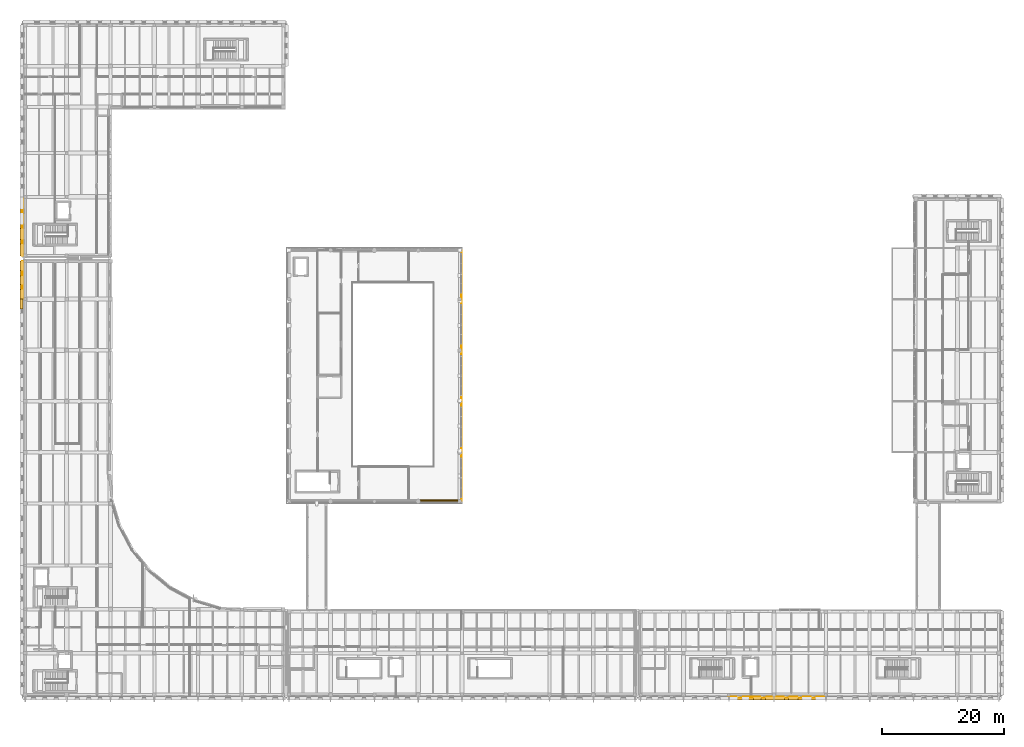
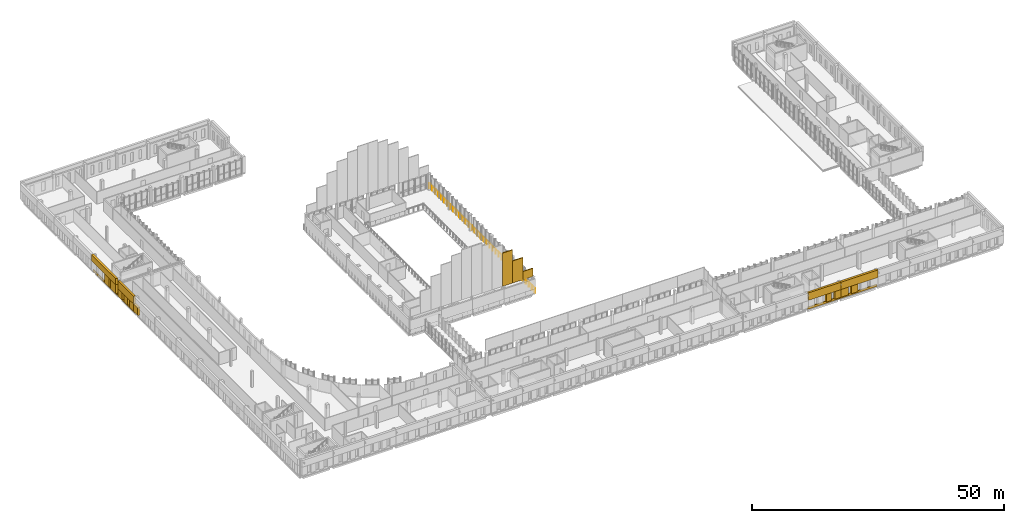
# One storey, part 70 of 76: 21 coverings, 1 railing.
"""IFC4 building model written with IfcOpenShell, lengths in metres."""

from ifc_helpers import new_model, si_unit, direction, frame, origin, origin_2d, place, context, subcontext, project, spatial, polyline, circle, outline, extrude, material, layer, layer_set, type_object, element, save


model = new_model("IFC4")

# Units and contexts
model_context = context("Model", 3, precision=1e-05, world=origin(), true_north=direction((0.0, 1.0)))
body_context = subcontext(model_context, "Body", "Model", "MODEL_VIEW")
ifc_project = project(units=[si_unit("LENGTHUNIT", "METRE"), si_unit("AREAUNIT", "SQUARE_METRE"), si_unit("VOLUMEUNIT", "CUBIC_METRE"), si_unit("PLANEANGLEUNIT", "RADIAN"), si_unit("MASSUNIT", "GRAM", prefix="KILO")], contexts=[model_context])

# Site, building, storey
site_placement = place(None, origin())
site = spatial("IfcSite", under=ifc_project, at=site_placement, CompositionType="ELEMENT")
building_placement = place(site_placement, origin())
building = spatial("IfcBuilding", under=site, at=building_placement, Name="Vardoun Plaza Health Centre", CompositionType="ELEMENT")
storey_placement = place(building_placement, frame((0.0, 0.0, 4.5)))
storey = spatial("IfcBuildingStorey", under=building, at=storey_placement, Name="L01", CompositionType="ELEMENT", Elevation=4.5)

# Coverings
ifc_material = material(Name="Pale Limestone Concrete C35/45", Category="masonry")
ifc_layer = layer(ifc_material, 0.080078125)
ifc_layer_set = layer_set([ifc_layer], Name="Pale Limestone Concrete C35/45")
covering_type = type_object("IfcCoveringType", Name="CL-EXT1", PredefinedType="CLADDING", material=ifc_layer_set)
covering_1_placement = place(storey_placement, frame((0.0, 0.0, 0.550048828125)))
element("IfcCovering", 1, at=covering_1_placement, inside=storey, type_object=covering_type, Name="V2 L01 Deep-Punched Slot Concrete Reveal Pier 163", PredefinedType="CLADDING", context=body_context, shape_type="SweptSolid", body=[
    extrude(outline(polyline([(4.5, 68.263916015625), (4.5, 69.8798828125), (4.02001953125, 69.8798828125), (4.02001953125, 68.263916015625), (4.5, 68.263916015625)])), origin(), (0.0, 0.0, 1.0), 1.849853515625),
])
covering_2_placement = place(storey_placement, origin())
element("IfcCovering", 2, at=covering_2_placement, inside=storey, type_object=covering_type, Name="V2 L01 Pale Concrete Sill Band 164", PredefinedType="CLADDING", context=body_context, shape_type="SweptSolid", body=[
    extrude(outline(polyline([(4.5, 69.919921875), (4.5, 76.135009765625), (4.360107421875, 76.135009765625), (4.360107421875, 69.919921875), (4.5, 69.919921875)])), origin(), (0.0, 0.0, 1.0), 0.550048828125),
])
covering_3_placement = place(storey_placement, frame((0.0, 0.0, 2.35009765625)))
element("IfcCovering", 3, at=covering_3_placement, inside=storey, type_object=covering_type, Name="V2 L01 Sculpted Concrete Eyebrow Hood 165", PredefinedType="CLADDING", context=body_context, shape_type="SweptSolid", body=[
    extrude(outline(polyline([(4.5, 69.919921875), (4.5, 76.135009765625), (4.02001953125, 76.135009765625), (4.02001953125, 69.919921875), (4.5, 69.919921875)])), origin(), (0.0, 0.0, 1.0), 1.849853515625),
])
covering_4_placement = place(storey_placement, frame((0.0, 0.0, 0.550048828125)))
element("IfcCovering", 4, at=covering_4_placement, inside=storey, type_object=covering_type, Name="V2 L01 Deep-Punched Slot Concrete Reveal Pier 166", PredefinedType="CLADDING", context=body_context, shape_type="SweptSolid", body=[
    extrude(outline(polyline([(4.5, 69.919921875), (4.5, 71.481689453125), (4.02001953125, 71.481689453125), (4.02001953125, 69.919921875), (4.5, 69.919921875)])), origin(), (0.0, 0.0, 1.0), 1.800048828125),
])
covering_5_placement = place(storey_placement, frame((0.0, 0.0, 0.550048828125)))
element("IfcCovering", 5, at=covering_5_placement, inside=storey, type_object=covering_type, Name="V2 L01 Deep-Punched Slot Concrete Reveal Pier 167", PredefinedType="CLADDING", context=body_context, shape_type="SweptSolid", body=[
    extrude(outline(polyline([(4.5, 72.321533203125), (4.5, 73.7333984375), (4.02001953125, 73.7333984375), (4.02001953125, 72.321533203125), (4.5, 72.321533203125)])), origin(), (0.0, 0.0, 1.0), 1.800048828125),
])
covering_6_placement = place(storey_placement, frame((0.0, 0.0, 0.550048828125)))
element("IfcCovering", 6, at=covering_6_placement, inside=storey, type_object=covering_type, Name="V2 L01 Deep-Punched Slot Concrete Reveal Pier 168", PredefinedType="CLADDING", context=body_context, shape_type="SweptSolid", body=[
    extrude(outline(polyline([(4.5, 74.573486328125), (4.5, 76.135009765625), (4.02001953125, 76.135009765625), (4.02001953125, 74.573486328125), (4.5, 74.573486328125)])), origin(), (0.0, 0.0, 1.0), 1.800048828125),
])
covering_7_placement = place(storey_placement, origin())
element("IfcCovering", 7, at=covering_7_placement, inside=storey, type_object=covering_type, Name="V3 L01 Pale Concrete Sill Band 808", PredefinedType="CLADDING", context=body_context, shape_type="SweptSolid", body=[
    extrude(outline(polyline([(4.5, 77.014892578125), (4.5, 86.679931640625), (4.360107421875, 86.679931640625), (4.360107421875, 77.014892578125), (4.5, 77.014892578125)])), origin(), (0.0, 0.0, 1.0), 0.550048828125),
])
covering_8_placement = place(storey_placement, frame((0.0, 0.0, 2.68994140625)))
element("IfcCovering", 8, at=covering_8_placement, inside=storey, type_object=covering_type, Name="V3 L01 Sculpted Concrete Eyebrow Hood 809", PredefinedType="CLADDING", context=body_context, shape_type="SweptSolid", body=[
    extrude(outline(polyline([(4.5, 77.014892578125), (4.5, 86.679931640625), (4.02001953125, 86.679931640625), (4.02001953125, 77.014892578125), (4.5, 77.014892578125)])), origin(), (0.0, 0.0, 1.0), 1.510009765625),
])
covering_9_placement = place(storey_placement, frame((0.0, 0.0, 0.550048828125)))
element("IfcCovering", 9, at=covering_9_placement, inside=storey, type_object=covering_type, Name="V3 L01 Deep-Punched Slot Concrete Reveal Pier 810", PredefinedType="CLADDING", context=body_context, shape_type="SweptSolid", body=[
    extrude(outline(polyline([(4.5, 77.014892578125), (4.5, 78.979248046875), (4.02001953125, 78.979248046875), (4.02001953125, 77.014892578125), (4.5, 77.014892578125)])), origin(), (0.0, 0.0, 1.0), 2.139892578125),
])
covering_10_placement = place(storey_placement, frame((0.0, 0.0, 0.550048828125)))
element("IfcCovering", 10, at=covering_10_placement, inside=storey, type_object=covering_type, Name="V3 L01 Deep-Punched Slot Concrete Reveal Pier 811", PredefinedType="CLADDING", context=body_context, shape_type="SweptSolid", body=[
    extrude(outline(polyline([(4.5, 79.669189453125), (4.5, 81.50244140625), (4.02001953125, 81.50244140625), (4.02001953125, 79.669189453125), (4.5, 79.669189453125)])), origin(), (0.0, 0.0, 1.0), 2.139892578125),
])
covering_11_placement = place(storey_placement, origin())
element("IfcCovering", 11, at=covering_11_placement, inside=storey, type_object=covering_type, Name="V5 L01 Pale Concrete Sill Band 1158", PredefinedType="CLADDING", context=body_context, shape_type="SweptSolid", body=[
    extrude(outline(polyline([(136.47998046875, 4.5), (128.0, 4.5), (128.0, 4.360107421875), (136.47998046875, 4.360107421875), (136.47998046875, 4.5)])), origin(), (0.0, 0.0, 1.0), 0.550048828125),
])
covering_12_placement = place(storey_placement, frame((0.0, 0.0, 2.39990234375)))
element("IfcCovering", 12, at=covering_12_placement, inside=storey, type_object=covering_type, Name="V5 L01 Sculpted Concrete Eyebrow Hood 1159", PredefinedType="CLADDING", context=body_context, shape_type="SweptSolid", body=[
    extrude(outline(polyline([(136.47998046875, 4.5), (128.0, 4.5), (128.0, 4.02001953125), (136.47998046875, 4.02001953125), (136.47998046875, 4.5)])), origin(), (0.0, 0.0, 1.0), 1.800048828125),
])
covering_13_placement = place(storey_placement, frame((0.0, 0.0, 0.550048828125)))
element("IfcCovering", 13, at=covering_13_placement, inside=storey, type_object=covering_type, Name="V5 L01 Deep-Punched Slot Concrete Reveal Pier 1162", PredefinedType="CLADDING", context=body_context, shape_type="SweptSolid", body=[
    extrude(outline(polyline([(131.89990234375, 4.5), (130.36474609375, 4.5), (130.36474609375, 4.02001953125), (131.89990234375, 4.02001953125), (131.89990234375, 4.5)])), origin(), (0.0, 0.0, 1.0), 1.849853515625),
])
covering_14_placement = place(storey_placement, frame((0.0, 0.0, 0.550048828125)))
element("IfcCovering", 14, at=covering_14_placement, inside=storey, type_object=covering_type, Name="V5 L01 Deep-Punched Slot Concrete Reveal Pier 1163", PredefinedType="CLADDING", context=body_context, shape_type="SweptSolid", body=[
    extrude(outline(polyline([(129.684814453125, 4.5), (128.0, 4.5), (128.0, 4.02001953125), (129.684814453125, 4.02001953125), (129.684814453125, 4.5)])), origin(), (0.0, 0.0, 1.0), 1.849853515625),
])
covering_15_placement = place(storey_placement, origin())
element("IfcCovering", 15, at=covering_15_placement, inside=storey, type_object=covering_type, Name="V5 L01 Pale Concrete Sill Band 1164", PredefinedType="CLADDING", context=body_context, shape_type="SweptSolid", body=[
    extrude(outline(polyline([(127.9599609375, 4.5), (120.56005859375, 4.5), (120.56005859375, 4.360107421875), (127.9599609375, 4.360107421875), (127.9599609375, 4.5)])), origin(), (0.0, 0.0, 1.0), 0.550048828125),
])
covering_16_placement = place(storey_placement, frame((0.0, 0.0, 2.39990234375)))
element("IfcCovering", 16, at=covering_16_placement, inside=storey, type_object=covering_type, Name="V5 L01 Sculpted Concrete Eyebrow Hood 1165", PredefinedType="CLADDING", context=body_context, shape_type="SweptSolid", body=[
    extrude(outline(polyline([(127.9599609375, 4.5), (120.56005859375, 4.5), (120.56005859375, 4.02001953125), (127.9599609375, 4.02001953125), (127.9599609375, 4.5)])), origin(), (0.0, 0.0, 1.0), 1.800048828125),
])
covering_17_placement = place(storey_placement, frame((0.0, 0.0, 0.550048828125)))
element("IfcCovering", 17, at=covering_17_placement, inside=storey, type_object=covering_type, Name="V5 L01 Deep-Punched Slot Concrete Reveal Pier 1166", PredefinedType="CLADDING", context=body_context, shape_type="SweptSolid", body=[
    extrude(outline(polyline([(127.9599609375, 4.5), (126.574462890625, 4.5), (126.574462890625, 4.02001953125), (127.9599609375, 4.02001953125), (127.9599609375, 4.5)])), origin(), (0.0, 0.0, 1.0), 1.849853515625),
])
covering_18_placement = place(storey_placement, frame((0.0, 0.0, 0.550048828125)))
element("IfcCovering", 18, at=covering_18_placement, inside=storey, type_object=covering_type, Name="V5 L01 Deep-Punched Slot Concrete Reveal Pier 1167", PredefinedType="CLADDING", context=body_context, shape_type="SweptSolid", body=[
    extrude(outline(polyline([(125.814453125, 4.5), (124.639892578125, 4.5), (124.639892578125, 4.02001953125), (125.814453125, 4.02001953125), (125.814453125, 4.5)])), origin(), (0.0, 0.0, 1.0), 1.849853515625),
])
covering_19_placement = place(storey_placement, frame((0.0, 0.0, 3.89990234375)))
element("IfcCovering", 19, at=covering_19_placement, inside=storey, type_object=covering_type, Name="Sculpted Concrete Roof Gable Cladding V1-S.10", PredefinedType="CLADDING", context=body_context, shape_type="SweptSolid", body=[
    extrude(outline(polyline([(69.2900390625, 36.679931640625), (71.626708984375, 36.679931640625), (71.626708984375, 36.89990234375), (69.2900390625, 36.89990234375), (69.2900390625, 36.679931640625)])), origin(), (0.0, 0.0, 1.0), 8.048583984375),
])
covering_20_placement = place(storey_placement, frame((0.0, 0.0, 3.89990234375)))
element("IfcCovering", 20, at=covering_20_placement, inside=storey, type_object=covering_type, Name="Sculpted Concrete Roof Gable Cladding V1-S.11", PredefinedType="CLADDING", context=body_context, shape_type="SweptSolid", body=[
    extrude(outline(polyline([(71.626708984375, 36.679931640625), (73.96337890625, 36.679931640625), (73.96337890625, 36.89990234375), (71.626708984375, 36.89990234375), (71.626708984375, 36.679931640625)])), origin(), (0.0, 0.0, 1.0), 5.337646484375),
])
covering_21_placement = place(storey_placement, frame((0.0, 0.0, 3.89990234375)))
element("IfcCovering", 21, at=covering_21_placement, inside=storey, type_object=covering_type, Name="Sculpted Concrete Roof Gable Cladding V1-S.12", PredefinedType="CLADDING", context=body_context, shape_type="SweptSolid", body=[
    extrude(outline(polyline([(73.96337890625, 36.679931640625), (76.300048828125, 36.679931640625), (76.300048828125, 36.89990234375), (73.96337890625, 36.89990234375), (73.96337890625, 36.679931640625)])), origin(), (0.0, 0.0, 1.0), 1.94873046875),
])

# Railing
railing_placement = place(storey_placement, frame((76.580078125, 36.3798828125, 0.0)))
element("IfcRailing", 22, at=railing_placement, inside=storey, Name="Waiting Hall L01 Perimeter Edge Guard 1", PredefinedType="GUARDRAIL", context=body_context, shape_type="SweptSolid", body=[
    extrude(circle(Radius=0.02392578125, at=origin_2d()), frame((0.0, 0.0, 1.1259765625), z_axis=(0.0, 1.0, 0.0), x_axis=(-1.0, 0.0, 0.0)), (0.0, 0.0, 1.0), 41.840087890625),
    extrude(circle(Radius=0.02099609375, at=origin_2d()), origin(), (0.0, 0.0, 1.0), 1.101806640625),
    extrude(circle(Radius=0.02099609375, at=origin_2d()), frame((0.0, 1.1953125, 0.0)), (0.0, 0.0, 1.0), 1.101806640625),
    extrude(circle(Radius=0.02099609375, at=origin_2d()), frame((0.0, 2.390869140625, 0.0)), (0.0, 0.0, 1.0), 1.101806640625),
    extrude(circle(Radius=0.02099609375, at=origin_2d()), frame((0.0, 3.586181640625, 0.0)), (0.0, 0.0, 1.0), 1.101806640625),
    extrude(circle(Radius=0.02099609375, at=origin_2d()), frame((0.0, 4.78173828125, 0.0)), (0.0, 0.0, 1.0), 1.101806640625),
    extrude(circle(Radius=0.02099609375, at=origin_2d()), frame((0.0, 5.97705078125, 0.0)), (0.0, 0.0, 1.0), 1.101806640625),
    extrude(circle(Radius=0.02099609375, at=origin_2d()), frame((0.0, 7.172607421875, 0.0)), (0.0, 0.0, 1.0), 1.101806640625),
    extrude(circle(Radius=0.02099609375, at=origin_2d()), frame((0.0, 8.367919921875, 0.0)), (0.0, 0.0, 1.0), 1.101806640625),
    extrude(circle(Radius=0.02099609375, at=origin_2d()), frame((0.0, 9.5634765625, 0.0)), (0.0, 0.0, 1.0), 1.101806640625),
    extrude(circle(Radius=0.02099609375, at=origin_2d()), frame((0.0, 10.7587890625, 0.0)), (0.0, 0.0, 1.0), 1.101806640625),
    extrude(circle(Radius=0.02099609375, at=origin_2d()), frame((0.0, 11.954345703125, 0.0)), (0.0, 0.0, 1.0), 1.101806640625),
    extrude(circle(Radius=0.02099609375, at=origin_2d()), frame((0.0, 13.149658203125, 0.0)), (0.0, 0.0, 1.0), 1.101806640625),
    extrude(circle(Radius=0.02099609375, at=origin_2d()), frame((0.0, 14.34521484375, 0.0)), (0.0, 0.0, 1.0), 1.101806640625),
    extrude(circle(Radius=0.02099609375, at=origin_2d()), frame((0.0, 15.54052734375, 0.0)), (0.0, 0.0, 1.0), 1.101806640625),
    extrude(circle(Radius=0.02099609375, at=origin_2d()), frame((0.0, 16.736083984375, 0.0)), (0.0, 0.0, 1.0), 1.101806640625),
    extrude(circle(Radius=0.02099609375, at=origin_2d()), frame((0.0, 17.931396484375, 0.0)), (0.0, 0.0, 1.0), 1.101806640625),
    extrude(circle(Radius=0.02099609375, at=origin_2d()), frame((0.0, 19.126953125, 0.0)), (0.0, 0.0, 1.0), 1.101806640625),
    extrude(circle(Radius=0.02099609375, at=origin_2d()), frame((0.0, 20.322265625, 0.0)), (0.0, 0.0, 1.0), 1.101806640625),
    extrude(circle(Radius=0.02099609375, at=origin_2d()), frame((0.0, 21.517822265625, 0.0)), (0.0, 0.0, 1.0), 1.101806640625),
    extrude(circle(Radius=0.02099609375, at=origin_2d()), frame((0.0, 22.713134765625, 0.0)), (0.0, 0.0, 1.0), 1.101806640625),
    extrude(circle(Radius=0.02099609375, at=origin_2d()), frame((0.0, 23.90869140625, 0.0)), (0.0, 0.0, 1.0), 1.101806640625),
    extrude(circle(Radius=0.02099609375, at=origin_2d()), frame((0.0, 25.10400390625, 0.0)), (0.0, 0.0, 1.0), 1.101806640625),
    extrude(circle(Radius=0.02099609375, at=origin_2d()), frame((0.0, 26.299560546875, 0.0)), (0.0, 0.0, 1.0), 1.101806640625),
    extrude(circle(Radius=0.02099609375, at=origin_2d()), frame((0.0, 27.494873046875, 0.0)), (0.0, 0.0, 1.0), 1.101806640625),
    extrude(circle(Radius=0.02099609375, at=origin_2d()), frame((0.0, 28.6904296875, 0.0)), (0.0, 0.0, 1.0), 1.101806640625),
    extrude(circle(Radius=0.02099609375, at=origin_2d()), frame((0.0, 29.8857421875, 0.0)), (0.0, 0.0, 1.0), 1.101806640625),
    extrude(circle(Radius=0.02099609375, at=origin_2d()), frame((0.0, 31.081298828125, 0.0)), (0.0, 0.0, 1.0), 1.101806640625),
    extrude(circle(Radius=0.02099609375, at=origin_2d()), frame((0.0, 32.276611328125, 0.0)), (0.0, 0.0, 1.0), 1.101806640625),
    extrude(circle(Radius=0.02099609375, at=origin_2d()), frame((0.0, 33.47216796875, 0.0)), (0.0, 0.0, 1.0), 1.101806640625),
    extrude(circle(Radius=0.02099609375, at=origin_2d()), frame((0.0, 34.66748046875, 0.0)), (0.0, 0.0, 1.0), 1.101806640625),
    extrude(circle(Radius=0.02099609375, at=origin_2d()), frame((0.0, 35.863037109375, 0.0)), (0.0, 0.0, 1.0), 1.101806640625),
    extrude(circle(Radius=0.02099609375, at=origin_2d()), frame((0.0, 37.058349609375, 0.0)), (0.0, 0.0, 1.0), 1.101806640625),
    extrude(circle(Radius=0.02099609375, at=origin_2d()), frame((0.0, 38.25390625, 0.0)), (0.0, 0.0, 1.0), 1.101806640625),
    extrude(circle(Radius=0.02099609375, at=origin_2d()), frame((0.0, 39.44921875, 0.0)), (0.0, 0.0, 1.0), 1.101806640625),
    extrude(circle(Radius=0.02099609375, at=origin_2d()), frame((0.0, 40.644775390625, 0.0)), (0.0, 0.0, 1.0), 1.101806640625),
    extrude(circle(Radius=0.02099609375, at=origin_2d()), frame((0.0, 41.840087890625, 0.0)), (0.0, 0.0, 1.0), 1.101806640625),
])

save(model, "model.ifc")
